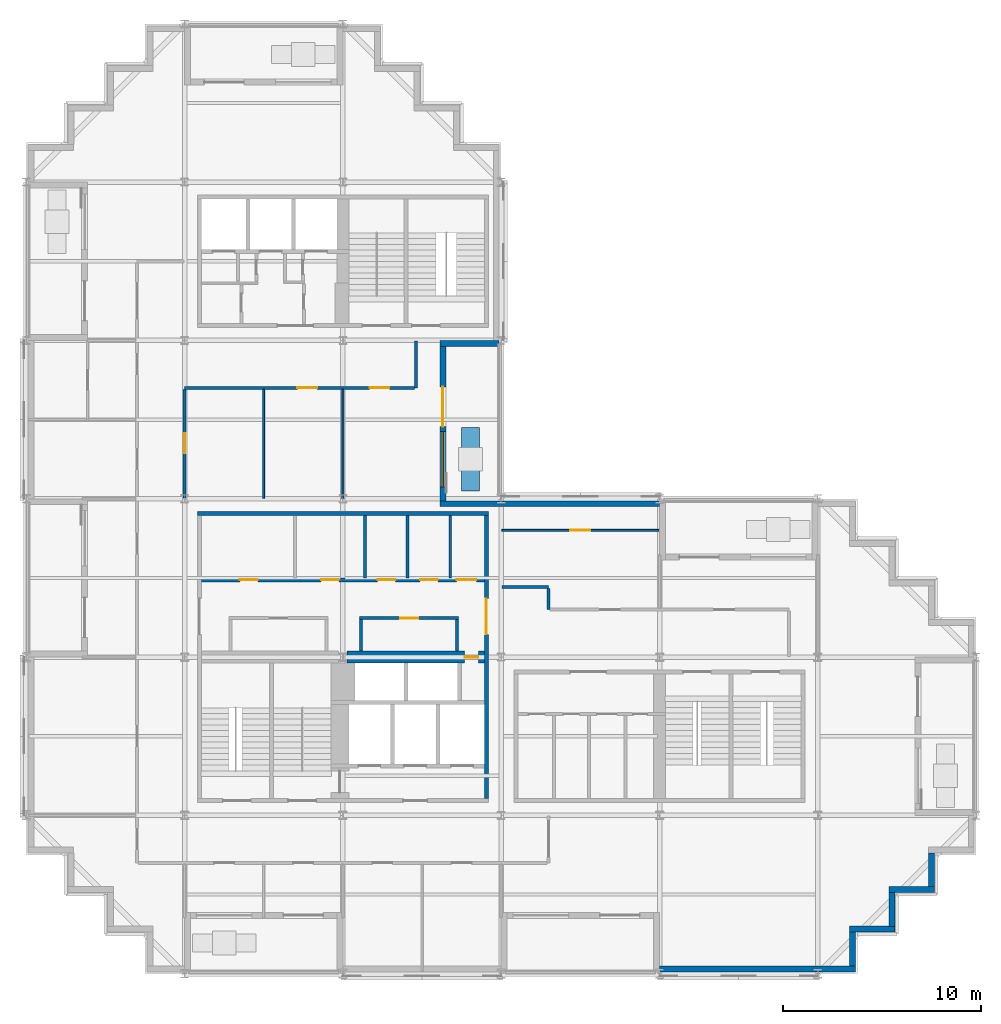
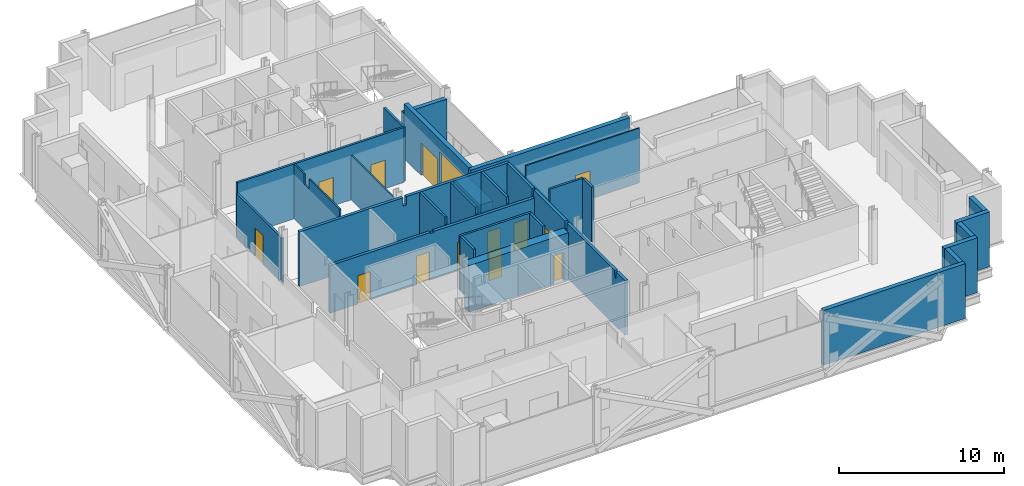
# One storey, part 6 of 12: 28 walls, 13 doors, 1 window, 14 openings.
"""IFC4 building model written with IfcOpenShell, lengths in metres."""

from ifc_helpers import new_model, si_unit, direction, frame, frame_2d, origin, place, context, subcontext, project, spatial, polyline, rectangle, outline, extrude, material, layer, layer_set, type_object, element, fill, save


model = new_model("IFC4")

# Units and contexts
model_context = context("Model", 3, precision=1e-05, world=origin(), true_north=direction((0.0, 1.0)))
body_context = subcontext(model_context, "Body", "Model", "MODEL_VIEW")
ifc_project = project(units=[si_unit("LENGTHUNIT", "METRE"), si_unit("AREAUNIT", "SQUARE_METRE"), si_unit("VOLUMEUNIT", "CUBIC_METRE"), si_unit("PLANEANGLEUNIT", "RADIAN"), si_unit("MASSUNIT", "GRAM", prefix="KILO")], contexts=[model_context])

# Site, building, storey
site_placement = place(None, origin())
site = spatial("IfcSite", under=ifc_project, at=site_placement, CompositionType="ELEMENT")
building_placement = place(site_placement, origin())
building = spatial("IfcBuilding", under=site, at=building_placement, Name="Immortelle Media Tower", CompositionType="ELEMENT")
storey_placement = place(building_placement, frame((0.0, 0.0, 124.199951171875)))
storey = spatial("IfcBuildingStorey", under=building, at=storey_placement, Name="L24", CompositionType="ELEMENT", Elevation=124.199951171875)

# Wall, opening, door
ifc_material_1 = material(Name="Fire-rated masonry blockwork", Category="masonry")
ifc_layer_1 = layer(ifc_material_1, 0.60009765625)
ifc_layer_set_1 = layer_set([ifc_layer_1], Name="Fire-rated masonry blockwork")
wall_type_1 = type_object("IfcWallType", Name="Core grid-line wall 600", PredefinedType="PARTITIONING", material=ifc_layer_set_1)
wall_1_placement = place(storey_placement, frame((16.21044921875, 16.0, 0.0), z_axis=(0.0, 0.0, 1.0), x_axis=(1.0, 0.0, 0.0)))
wall_1 = element("IfcWall", 1, at=wall_1_placement, inside=storey, type_object=wall_type_1, Name="Core grid-line wall SW", PredefinedType="PARTITIONING", context=body_context, shape_type="SweptSolid", body=[
    extrude(rectangle(XDim=6.939453125, YDim=0.60009765625, at=frame_2d((3.4697265625, 0.0))), origin(), (0.0, 0.0, 1.0), 3.43212890625),
])
opening_1_placement = place(wall_1_placement, frame((6.639404296875, 0.0, 0.0), z_axis=(0.0, 0.0, 1.0), x_axis=(-1.0, 0.0, 0.0)))
opening_1 = element("IfcOpeningElement", 2, at=opening_1_placement, cuts=wall_1, Name="Opening C1-K016", PredefinedType="OPENING", context=body_context, shape_type="SweptSolid", body=[
    extrude(rectangle(XDim=0.699951171875, YDim=2.10009765625, at=frame_2d((0.35009765625, 1.050048828125))), frame((0.0, 0.31005859375, 0.0), z_axis=(0.0, -1.0, 0.0), x_axis=(1.0, 0.0, 0.0)), (0.0, 0.0, 1.0), 0.6201171875),
])
ifc_material_2 = material(Name="Galvanised steel door leaf and frame ASTM A653", Category="steel")
door_type_1 = type_object("IfcDoorType", Name="Service door 700 x 2100", OperationType="NOTDEFINED", PredefinedType="NOTDEFINED", material=ifc_material_2)
door_1_placement = place(opening_1_placement, origin())
door_1 = element("IfcDoor", 3, at=door_1_placement, inside=storey, type_object=door_type_1, Name="Service C1-K016", OperationType="SINGLE_SWING_LEFT", OverallHeight=2.10009765625, OverallWidth=0.699951171875, PredefinedType="NOTDEFINED", context=body_context, shape_type="SweptSolid", body=[
    extrude(rectangle(XDim=0.699951171875, YDim=2.10009765625, at=frame_2d((0.35009765625, 1.050048828125))), frame((0.0, 0.02490234375, 0.0), z_axis=(0.0, -1.0, 0.0), x_axis=(1.0, 0.0, 0.0)), (0.0, 0.0, 1.0), 0.050048828125),
])
fill(opening_1, door_1)

# Wall
ifc_material_3 = material(Name="Fire-rated gypsum board", Category="gypsum")
ifc_layer_2 = layer(ifc_material_3, 0.02490234375)
ifc_material_4 = material(Name="Steel ASTM A653 SS Gr 50 stud frame with mineral wool", Category="steel")
ifc_layer_3 = layer(ifc_material_4, 0.10009765625)
ifc_layer_4 = layer(ifc_material_3, 0.02490234375)
ifc_layer_set_2 = layer_set([ifc_layer_2, ifc_layer_3, ifc_layer_4], Name="Steel ASTM A653 SS Gr 50 stud frame with mineral wool")
wall_type_2 = type_object("IfcWallType", Name="Core partition 150", PredefinedType="PARTITIONING", material=ifc_layer_set_2)
wall_2_placement = place(storey_placement, frame((16.925048828125, 16.300048828125, 0.0), z_axis=(0.0, 0.0, 1.0), x_axis=(0.0, 1.0, 0.0)))
element("IfcWall", 4, at=wall_2_placement, inside=storey, type_object=wall_type_2, Name="Core partition SW", PredefinedType="PARTITIONING", context=body_context, shape_type="SweptSolid", body=[
    extrude(rectangle(XDim=1.599853515625, YDim=0.14990234375, at=frame_2d((0.7998046875, 0.0))), origin(), (0.0, 0.0, 1.0), 4.050048828125),
])

# Wall, opening, door
wall_3_placement = place(storey_placement, frame((16.85009765625, 17.97509765625, 0.0), z_axis=(0.0, 0.0, 1.0), x_axis=(1.0, 0.0, 0.0)))
wall_3 = element("IfcWall", 5, at=wall_3_placement, inside=storey, type_object=wall_type_2, Name="Core partition SW", PredefinedType="PARTITIONING", context=body_context, shape_type="SweptSolid", body=[
    extrude(rectangle(XDim=5.0, YDim=0.14990234375, at=frame_2d((2.5, 0.0))), origin(), (0.0, 0.0, 1.0), 4.050048828125),
])
opening_2_placement = place(wall_3_placement, frame((2.949951171875, 0.0, 0.0), z_axis=(0.0, 0.0, 1.0), x_axis=(-1.0, 0.0, 0.0)))
opening_2 = element("IfcOpeningElement", 6, at=opening_2_placement, cuts=wall_3, Name="Opening C1-K010", PredefinedType="OPENING", context=body_context, shape_type="SweptSolid", body=[
    extrude(rectangle(XDim=0.89990234375, YDim=2.10009765625, at=frame_2d((0.449951171875, 1.050048828125))), frame((0.0, 0.0849609375, 0.0), z_axis=(0.0, -1.0, 0.0), x_axis=(1.0, 0.0, 0.0)), (0.0, 0.0, 1.0), 0.169921875),
])
ifc_material_5 = material(Name="Timber", Category="wood")
door_type_2 = type_object("IfcDoorType", Name="Room door 900 x 2100", OperationType="NOTDEFINED", PredefinedType="NOTDEFINED", material=ifc_material_5)
door_2_placement = place(opening_2_placement, origin())
door_2 = element("IfcDoor", 7, at=door_2_placement, inside=storey, type_object=door_type_2, Name="Room C1-K010", OperationType="SINGLE_SWING_RIGHT", OverallHeight=2.10009765625, OverallWidth=0.89990234375, PredefinedType="NOTDEFINED", context=body_context, shape_type="SweptSolid", body=[
    extrude(rectangle(XDim=0.89990234375, YDim=2.10009765625, at=frame_2d((0.449951171875, 1.050048828125))), frame((0.0, 0.02490234375, 0.0), z_axis=(0.0, -1.0, 0.0), x_axis=(1.0, 0.0, 0.0)), (0.0, 0.0, 1.0), 0.050048828125),
])
fill(opening_2, door_2)

# Walls
for number, where, z_axis, x_axis, name in (
    (8, (17.125, 20.0, 0.0), (0.0, 0.0, 1.0), (0.0, 1.0, 0.0), "Core partition SW"),
    (9, (19.27490234375, 20.0, 0.0), (0.0, 0.0, 1.0), (0.0, 1.0, 0.0), "Core partition SW"),
    (10, (21.425048828125, 20.0, 0.0), (0.0, 0.0, 1.0), (0.0, 1.0, 0.0), "Core partition SW"),
):
    element("IfcWall", number, at=place(storey_placement, frame(where, z_axis=z_axis, x_axis=x_axis)), inside=storey, type_object=wall_type_2, Name=name, PredefinedType="PARTITIONING", context=body_context, shape_type="SweptSolid", body=[
        extrude(outline(polyline([(0.0, 0.0), (3.14990234375, 0.0), (3.14990234375, 4.050048828125), (0.08740234375, 4.050048828125), (0.08642578125, 3.51806640625), (0.0, 3.51806640625), (0.0, 0.0)])), frame((0.0, 0.074951171875, 0.0), z_axis=(0.0, -1.0, 0.0), x_axis=(1.0, 0.0, 0.0)), (0.0, 0.0, 1.0), 0.14990234375),
    ])
wall_4_placement = place(storey_placement, frame((21.77490234375, 16.300048828125, 0.0), z_axis=(0.0, 0.0, 1.0), x_axis=(0.0, 1.0, 0.0)))
element("IfcWall", 11, at=wall_4_placement, inside=storey, type_object=wall_type_2, Name="Core partition SW", PredefinedType="PARTITIONING", context=body_context, shape_type="SweptSolid", body=[
    extrude(rectangle(XDim=1.599853515625, YDim=0.14990234375, at=frame_2d((0.7998046875, 0.0))), origin(), (0.0, 0.0, 1.0), 4.050048828125),
])
ifc_layer_5 = layer(ifc_material_3, 0.03759765625)
ifc_layer_6 = layer(ifc_material_4, 0.125)
ifc_layer_7 = layer(ifc_material_3, 0.03759765625)
ifc_layer_set_3 = layer_set([ifc_layer_5, ifc_layer_6, ifc_layer_7], Name="Steel ASTM A653 SS Gr 50 stud frame with mineral wool")
wall_type_3 = type_object("IfcWallType", Name="Core shaft wall 200", PredefinedType="PARTITIONING", material=ifc_layer_set_3)
wall_5_placement = place(storey_placement, frame((8.64990234375, 23.25, 0.0), z_axis=(0.0, 0.0, 1.0), x_axis=(1.0, 0.0, 0.0)))
element("IfcWall", 12, at=wall_5_placement, inside=storey, type_object=wall_type_3, Name="Core shaft wall SW", PredefinedType="PARTITIONING", context=body_context, shape_type="SweptSolid", body=[
    extrude(outline(polyline([(0.0, 0.0), (14.7001953125, 0.0), (14.699951171875, 4.050048828125), (7.469482421875, 4.050048828125), (7.468505859375, 3.43212890625), (7.2314453125, 3.43212890625), (7.23046875, 4.050048828125), (0.0, 4.050048828125), (0.0, 0.0)])), frame((0.0, 0.10009765625, 0.0), z_axis=(0.0, -1.0, 0.0), x_axis=(1.0, 0.0, 0.0)), (0.0, 0.0, 1.0), 0.199951171875),
])

# Wall, openings, doors
wall_6_placement = place(storey_placement, frame((8.85009765625, 19.89990234375, 0.0), z_axis=(0.0, 0.0, 1.0), x_axis=(1.0, 0.0, 0.0)))
wall_6 = element("IfcWall", 13, at=wall_6_placement, inside=storey, type_object=wall_type_3, Name="Core shaft wall SW", PredefinedType="PARTITIONING", context=body_context, shape_type="SweptSolid", body=[
    extrude(outline(polyline([(0.0, 0.0), (14.2998046875, 0.0), (14.300048828125, 3.51806640625), (7.26953125, 3.51806640625), (7.2685546875, 3.43212890625), (7.031494140625, 3.43212890625), (7.030517578125, 3.51806640625), (0.0, 3.51806640625), (0.0, 0.0)])), frame((0.0, 0.10009765625, 0.0), z_axis=(0.0, -1.0, 0.0), x_axis=(1.0, 0.0, 0.0)), (0.0, 0.0, 1.0), 0.199951171875),
])
opening_3_placement = place(wall_6_placement, frame((1.949951171875, 0.0, 0.0)))
opening_3 = element("IfcOpeningElement", 14, at=opening_3_placement, cuts=wall_6, Name="Opening C1-K003", PredefinedType="OPENING", context=body_context, shape_type="SweptSolid", body=[
    extrude(rectangle(XDim=0.89990234375, YDim=2.10009765625, at=frame_2d((0.449951171875, 1.050048828125))), frame((0.0, 0.10986328125, 0.0), z_axis=(0.0, -1.0, 0.0), x_axis=(1.0, 0.0, 0.0)), (0.0, 0.0, 1.0), 0.219970703125),
])
opening_4_placement = place(wall_6_placement, frame((6.050048828125, 0.0, 0.0)))
opening_4 = element("IfcOpeningElement", 15, at=opening_4_placement, cuts=wall_6, Name="Opening C1-K006", PredefinedType="OPENING", context=body_context, shape_type="SweptSolid", body=[
    extrude(rectangle(XDim=0.89990234375, YDim=2.10009765625, at=frame_2d((0.449951171875, 1.050048828125))), frame((0.0, 0.10986328125, 0.0), z_axis=(0.0, -1.0, 0.0), x_axis=(1.0, 0.0, 0.0)), (0.0, 0.0, 1.0), 0.219970703125),
])
opening_5_placement = place(wall_6_placement, frame((8.89990234375, 0.0, 0.0)))
opening_5 = element("IfcOpeningElement", 16, at=opening_5_placement, cuts=wall_6, Name="Opening C1-K009", PredefinedType="OPENING", context=body_context, shape_type="SweptSolid", body=[
    extrude(rectangle(XDim=0.89990234375, YDim=2.10009765625, at=frame_2d((0.449951171875, 1.050048828125))), frame((0.0, 0.10986328125, 0.0), z_axis=(0.0, -1.0, 0.0), x_axis=(1.0, 0.0, 0.0)), (0.0, 0.0, 1.0), 0.219970703125),
])
opening_6_placement = place(wall_6_placement, frame((11.050048828125, 0.0, 0.0)))
opening_6 = element("IfcOpeningElement", 17, at=opening_6_placement, cuts=wall_6, Name="Opening C1-K013", PredefinedType="OPENING", context=body_context, shape_type="SweptSolid", body=[
    extrude(rectangle(XDim=0.89990234375, YDim=2.10009765625, at=frame_2d((0.449951171875, 1.050048828125))), frame((0.0, 0.10986328125, 0.0), z_axis=(0.0, -1.0, 0.0), x_axis=(1.0, 0.0, 0.0)), (0.0, 0.0, 1.0), 0.219970703125),
])
opening_7_placement = place(wall_6_placement, frame((12.89990234375, 0.0, 0.0)))
opening_7 = element("IfcOpeningElement", 18, at=opening_7_placement, cuts=wall_6, Name="Opening C1-K015", PredefinedType="OPENING", context=body_context, shape_type="SweptSolid", body=[
    extrude(rectangle(XDim=1.0, YDim=2.10009765625, at=frame_2d((0.5, 1.050048828125))), frame((0.0, 0.10986328125, 0.0), z_axis=(0.0, -1.0, 0.0), x_axis=(1.0, 0.0, 0.0)), (0.0, 0.0, 1.0), 0.219970703125),
])
door_type_3 = type_object("IfcDoorType", Name="Accessible toilet door 1000 x 2100", OperationType="NOTDEFINED", PredefinedType="NOTDEFINED", material=ifc_material_5)
door_3_placement = place(opening_7_placement, origin())
door_3 = element("IfcDoor", 19, at=door_3_placement, inside=storey, type_object=door_type_3, Name="Accessible toilet C1-K015", OperationType="SINGLE_SWING_RIGHT", OverallHeight=2.10009765625, OverallWidth=1.0, PredefinedType="NOTDEFINED", context=body_context, shape_type="SweptSolid", body=[
    extrude(rectangle(XDim=1.0, YDim=2.10009765625, at=frame_2d((0.5, 1.050048828125))), frame((0.0, 0.02490234375, 0.0), z_axis=(0.0, -1.0, 0.0), x_axis=(1.0, 0.0, 0.0)), (0.0, 0.0, 1.0), 0.050048828125),
])
fill(opening_7, door_3)
door_4_placement = place(opening_3_placement, origin())
door_4 = element("IfcDoor", 20, at=door_4_placement, inside=storey, type_object=door_type_2, Name="Room C1-K003", OperationType="SINGLE_SWING_RIGHT", OverallHeight=2.10009765625, OverallWidth=0.89990234375, PredefinedType="NOTDEFINED", context=body_context, shape_type="SweptSolid", body=[
    extrude(rectangle(XDim=0.89990234375, YDim=2.10009765625, at=frame_2d((0.449951171875, 1.050048828125))), frame((0.0, 0.02490234375, 0.0), z_axis=(0.0, -1.0, 0.0), x_axis=(1.0, 0.0, 0.0)), (0.0, 0.0, 1.0), 0.050048828125),
])
fill(opening_3, door_4)
door_5_placement = place(opening_4_placement, origin())
door_5 = element("IfcDoor", 21, at=door_5_placement, inside=storey, type_object=door_type_2, Name="Room C1-K006", OperationType="SINGLE_SWING_RIGHT", OverallHeight=2.10009765625, OverallWidth=0.89990234375, PredefinedType="NOTDEFINED", context=body_context, shape_type="SweptSolid", body=[
    extrude(rectangle(XDim=0.89990234375, YDim=2.10009765625, at=frame_2d((0.449951171875, 1.050048828125))), frame((0.0, 0.02490234375, 0.0), z_axis=(0.0, -1.0, 0.0), x_axis=(1.0, 0.0, 0.0)), (0.0, 0.0, 1.0), 0.050048828125),
])
fill(opening_4, door_5)
door_type_4 = type_object("IfcDoorType", Name="Toilet door 900 x 2100", OperationType="NOTDEFINED", PredefinedType="NOTDEFINED", material=ifc_material_5)
door_6_placement = place(opening_5_placement, origin())
door_6 = element("IfcDoor", 22, at=door_6_placement, inside=storey, type_object=door_type_4, Name="Toilet C1-K009", OperationType="SINGLE_SWING_LEFT", OverallHeight=2.10009765625, OverallWidth=0.89990234375, PredefinedType="NOTDEFINED", context=body_context, shape_type="SweptSolid", body=[
    extrude(rectangle(XDim=0.89990234375, YDim=2.10009765625, at=frame_2d((0.449951171875, 1.050048828125))), frame((0.0, 0.02490234375, 0.0), z_axis=(0.0, -1.0, 0.0), x_axis=(1.0, 0.0, 0.0)), (0.0, 0.0, 1.0), 0.050048828125),
])
fill(opening_5, door_6)
door_7_placement = place(opening_6_placement, origin())
door_7 = element("IfcDoor", 23, at=door_7_placement, inside=storey, type_object=door_type_4, Name="Toilet C1-K013", OperationType="SINGLE_SWING_RIGHT", OverallHeight=2.10009765625, OverallWidth=0.89990234375, PredefinedType="NOTDEFINED", context=body_context, shape_type="SweptSolid", body=[
    extrude(rectangle(XDim=0.89990234375, YDim=2.10009765625, at=frame_2d((0.449951171875, 1.050048828125))), frame((0.0, 0.02490234375, 0.0), z_axis=(0.0, -1.0, 0.0), x_axis=(1.0, 0.0, 0.0)), (0.0, 0.0, 1.0), 0.050048828125),
])
fill(opening_6, door_7)

# Wall, opening, door
wall_7_placement = place(storey_placement, frame((23.25, 8.85009765625, 0.0), z_axis=(0.0, 0.0, 1.0), x_axis=(0.0, 1.0, 0.0)))
wall_7 = element("IfcWall", 24, at=wall_7_placement, inside=storey, type_object=wall_type_3, Name="Core shaft wall SW", PredefinedType="PARTITIONING", context=body_context, shape_type="SweptSolid", body=[
    extrude(outline(polyline([(0.0, 0.0), (14.2998046875, 0.0), (14.300048828125, 4.050048828125), (11.237548828125, 4.050048828125), (11.236572265625, 3.51806640625), (11.0634765625, 3.51806640625), (11.0625, 4.050048828125), (7.26953125, 4.050048828125), (7.2685546875, 3.43212890625), (7.031494140625, 3.43212890625), (7.030517578125, 4.050048828125), (1.237548828125, 4.050048828125), (1.236572265625, 3.51806640625), (1.0634765625, 3.51806640625), (1.0625, 4.050048828125), (0.0, 4.050048828125), (0.0, 0.0)])), frame((0.0, 0.10009765625, 0.0), z_axis=(0.0, -1.0, 0.0), x_axis=(1.0, 0.0, 0.0)), (0.0, 0.0, 1.0), 0.199951171875),
])
opening_8_placement = place(wall_7_placement, frame((8.300048828125, 0.0, 0.0)))
opening_8 = element("IfcOpeningElement", 25, at=opening_8_placement, cuts=wall_7, Name="Opening C1-K017", PredefinedType="OPENING", context=body_context, shape_type="SweptSolid", body=[
    extrude(rectangle(XDim=1.800048828125, YDim=2.10009765625, at=frame_2d((0.89990234375, 1.050048828125))), frame((0.0, 0.10986328125, 0.0), z_axis=(0.0, -1.0, 0.0), x_axis=(1.0, 0.0, 0.0)), (0.0, 0.0, 1.0), 0.219970703125),
])
door_type_5 = type_object("IfcDoorType", Name="Lift lobby door 1800 x 2100", OperationType="DOUBLE_DOOR_SINGLE_SWING", PredefinedType="NOTDEFINED", material=ifc_material_2)
door_8_placement = place(opening_8_placement, origin())
door_8 = element("IfcDoor", 26, at=door_8_placement, inside=storey, type_object=door_type_5, Name="Lift lobby C1-K017", OperationType="DOUBLE_DOOR_SINGLE_SWING", OverallHeight=2.10009765625, OverallWidth=1.800048828125, PredefinedType="NOTDEFINED", context=body_context, shape_type="SweptSolid", body=[
    extrude(rectangle(XDim=1.800048828125, YDim=2.10009765625, at=frame_2d((0.89990234375, 1.050048828125))), frame((0.0, 0.02490234375, 0.0), z_axis=(0.0, -1.0, 0.0), x_axis=(1.0, 0.0, 0.0)), (0.0, 0.0, 1.0), 0.050048828125),
])
fill(opening_8, door_8)

# Walls
ifc_layer_8 = layer(ifc_material_3, 0.012451171875)
ifc_layer_9 = layer(ifc_material_4, 0.125)
ifc_layer_10 = layer(ifc_material_3, 0.012451171875)
ifc_layer_set_4 = layer_set([ifc_layer_8, ifc_layer_9, ifc_layer_10], Name="Steel ASTM A653 SS Gr 50 stud frame with mineral wool")
wall_type_4 = type_object("IfcWallType", Name="Corridor wall 150", PredefinedType="PARTITIONING", material=ifc_layer_set_4)
wall_8_placement = place(storey_placement, frame((26.39990234375, 18.39990234375, 0.0), z_axis=(0.0, 0.0, 1.0), x_axis=(0.0, 1.0, 0.0)))
element("IfcWall", 27, at=wall_8_placement, inside=storey, type_object=wall_type_4, Name="Partition L24-014", PredefinedType="PARTITIONING", context=body_context, shape_type="SweptSolid", body=[
    extrude(rectangle(XDim=1.0751953125, YDim=0.14990234375, at=frame_2d((0.53759765625, 0.0))), origin(), (0.0, 0.0, 1.0), 4.050048828125),
])
wall_9_placement = place(storey_placement, frame((24.030029296875, 19.550048828125, 0.0), z_axis=(0.0, 0.0, 1.0), x_axis=(1.0, 0.0, 0.0)))
element("IfcWall", 28, at=wall_9_placement, inside=storey, type_object=wall_type_4, Name="Partition L24-016", PredefinedType="PARTITIONING", context=body_context, shape_type="SweptSolid", body=[
    extrude(rectangle(XDim=2.369873046875, YDim=0.14990234375, at=frame_2d((1.18505859375, 0.0))), origin(), (0.0, 0.0, 1.0), 4.050048828125),
])

# Wall, opening, door
wall_10_placement = place(storey_placement, frame((8.0, 24.030029296875, 0.0), z_axis=(0.0, 0.0, 1.0), x_axis=(0.0, 1.0, 0.0)))
wall_10 = element("IfcWall", 29, at=wall_10_placement, inside=storey, type_object=wall_type_4, Name="Partition L24-019", PredefinedType="PARTITIONING", context=body_context, shape_type="SweptSolid", body=[
    extrude(rectangle(XDim=5.494873046875, YDim=0.14990234375, at=frame_2d((2.74755859375, 0.0))), origin(), (0.0, 0.0, 1.0), 3.2880859375),
])
opening_9_placement = place(wall_10_placement, frame((3.27001953125, 0.0, 0.0), z_axis=(0.0, 0.0, 1.0), x_axis=(-1.0, 0.0, 0.0)))
opening_9 = element("IfcOpeningElement", 30, at=opening_9_placement, cuts=wall_10, Name="Opening C1-F012", PredefinedType="OPENING", context=body_context, shape_type="SweptSolid", body=[
    extrude(rectangle(XDim=1.0, YDim=2.10009765625, at=frame_2d((0.5, 1.050048828125))), frame((0.0, 0.0849609375, 0.0), z_axis=(0.0, -1.0, 0.0), x_axis=(1.0, 0.0, 0.0)), (0.0, 0.0, 1.0), 0.169921875),
])
ifc_material_6 = material(Name="Timber veneered door leaf, galvanised steel frame ASTM A653", Category="steel")
door_type_6 = type_object("IfcDoorType", Name="Room door 1000 x 2100", OperationType="NOTDEFINED", PredefinedType="DOOR", material=ifc_material_6)
door_9_placement = place(opening_9_placement, origin())
door_9 = element("IfcDoor", 31, at=door_9_placement, inside=storey, type_object=door_type_6, Name="Door C1-F012", OperationType="SINGLE_SWING_LEFT", OverallHeight=2.10009765625, OverallWidth=1.0, PredefinedType="DOOR", context=body_context, shape_type="SweptSolid", body=[
    extrude(rectangle(XDim=1.0, YDim=2.10009765625, at=frame_2d((0.5, 1.050048828125))), frame((0.0, 0.02490234375, 0.0), z_axis=(0.0, -1.0, 0.0), x_axis=(1.0, 0.0, 0.0)), (0.0, 0.0, 1.0), 0.050048828125),
])
fill(opening_9, door_9)

# Wall, openings, doors
wall_11_placement = place(storey_placement, frame((8.0, 29.60009765625, 0.0), z_axis=(0.0, 0.0, 1.0), x_axis=(1.0, 0.0, 0.0)))
wall_11 = element("IfcWall", 32, at=wall_11_placement, inside=storey, type_object=wall_type_4, Name="Partition L24-025", PredefinedType="PARTITIONING", context=body_context, shape_type="SweptSolid", body=[
    extrude(rectangle(XDim=11.625, YDim=0.14990234375, at=frame_2d((5.8125, 0.0))), origin(), (0.0, 0.0, 1.0), 4.050048828125),
])
opening_10_placement = place(wall_11_placement, frame((6.699951171875, 0.0, 0.0), z_axis=(0.0, 0.0, 1.0), x_axis=(-1.0, 0.0, 0.0)))
opening_10 = element("IfcOpeningElement", 33, at=opening_10_placement, cuts=wall_11, Name="Opening C1-F013", PredefinedType="OPENING", context=body_context, shape_type="SweptSolid", body=[
    extrude(rectangle(XDim=1.0, YDim=2.10009765625, at=frame_2d((0.5, 1.050048828125))), frame((0.0, 0.0849609375, 0.0), z_axis=(0.0, -1.0, 0.0), x_axis=(1.0, 0.0, 0.0)), (0.0, 0.0, 1.0), 0.169921875),
])
opening_11_placement = place(wall_11_placement, frame((10.35009765625, 0.0, 0.0), z_axis=(0.0, 0.0, 1.0), x_axis=(-1.0, 0.0, 0.0)))
opening_11 = element("IfcOpeningElement", 34, at=opening_11_placement, cuts=wall_11, Name="Opening C1-F014", PredefinedType="OPENING", context=body_context, shape_type="SweptSolid", body=[
    extrude(rectangle(XDim=1.0, YDim=2.10009765625, at=frame_2d((0.5, 1.050048828125))), frame((0.0, 0.0849609375, 0.0), z_axis=(0.0, -1.0, 0.0), x_axis=(1.0, 0.0, 0.0)), (0.0, 0.0, 1.0), 0.169921875),
])
door_10_placement = place(opening_10_placement, origin())
door_10 = element("IfcDoor", 35, at=door_10_placement, inside=storey, type_object=door_type_6, Name="Door C1-F013", OperationType="SINGLE_SWING_LEFT", OverallHeight=2.10009765625, OverallWidth=1.0, PredefinedType="DOOR", context=body_context, shape_type="SweptSolid", body=[
    extrude(rectangle(XDim=1.0, YDim=2.10009765625, at=frame_2d((0.5, 1.050048828125))), frame((0.0, 0.02490234375, 0.0), z_axis=(0.0, -1.0, 0.0), x_axis=(1.0, 0.0, 0.0)), (0.0, 0.0, 1.0), 0.050048828125),
])
fill(opening_10, door_10)
door_11_placement = place(opening_11_placement, origin())
door_11 = element("IfcDoor", 36, at=door_11_placement, inside=storey, type_object=door_type_6, Name="Door C1-F014", OperationType="SINGLE_SWING_RIGHT", OverallHeight=2.10009765625, OverallWidth=1.0, PredefinedType="DOOR", context=body_context, shape_type="SweptSolid", body=[
    extrude(rectangle(XDim=1.0, YDim=2.10009765625, at=frame_2d((0.5, 1.050048828125))), frame((0.0, 0.02490234375, 0.0), z_axis=(0.0, -1.0, 0.0), x_axis=(1.0, 0.0, 0.0)), (0.0, 0.0, 1.0), 0.050048828125),
])
fill(opening_11, door_11)

# Walls
wall_12_placement = place(storey_placement, frame((19.699951171875, 29.60009765625, 0.0), z_axis=(0.0, 0.0, 1.0), x_axis=(0.0, 1.0, 0.0)))
element("IfcWall", 37, at=wall_12_placement, inside=storey, type_object=wall_type_4, Name="Partition L24-026", PredefinedType="PARTITIONING", context=body_context, shape_type="SweptSolid", body=[
    extrude(rectangle(XDim=2.369873046875, YDim=0.14990234375, at=frame_2d((1.18505859375, 0.0))), origin(), (0.0, 0.0, 1.0), 4.050048828125),
])
ifc_material_7 = material(Name="Pale aluminium cladding panel", Category="aluminium")
ifc_layer_11 = layer(ifc_material_7, 0.030029296875)
ifc_layer_12 = layer(ifc_material_4, 0.257568359375)
ifc_material_8 = material(Name="Moisture-resistant gypsum board", Category="gypsum")
ifc_layer_13 = layer(ifc_material_8, 0.012451171875)
ifc_layer_set_5 = layer_set([ifc_layer_11, ifc_layer_12, ifc_layer_13], Name="Steel ASTM A653 SS Gr 50 stud frame with mineral wool")
wall_type_5 = type_object("IfcWallType", Name="Facade wall 300", PredefinedType="SOLIDWALL", material=ifc_layer_set_5)
wall_13_placement = place(storey_placement, frame((32.0, 0.25, 0.0), z_axis=(0.0, 0.0, 1.0), x_axis=(1.0, 0.0, 0.0)))
element("IfcWall", 38, at=wall_13_placement, inside=storey, type_object=wall_type_5, Name="Facade wall L24 S6", PredefinedType="SOLIDWALL", context=body_context, shape_type="SweptSolid", body=[
    extrude(rectangle(XDim=9.89990234375, YDim=0.300048828125, at=frame_2d((4.949951171875, 0.0))), origin(), (0.0, 0.0, 1.0), 4.050048828125),
])
wall_14_placement = place(storey_placement, frame((41.75, 0.39990234375, 0.0), z_axis=(0.0, 0.0, 1.0), x_axis=(0.0, 1.0, 0.0)))
element("IfcWall", 39, at=wall_14_placement, inside=storey, type_object=wall_type_5, Name="Facade wall L24 E7", PredefinedType="SOLIDWALL", context=body_context, shape_type="SweptSolid", body=[
    extrude(rectangle(XDim=1.7001953125, YDim=0.300048828125, at=frame_2d((0.85009765625, 0.0))), origin(), (0.0, 0.0, 1.0), 4.050048828125),
])
wall_15_placement = place(storey_placement, frame((41.60009765625, 2.25, 0.0), z_axis=(0.0, 0.0, 1.0), x_axis=(1.0, 0.0, 0.0)))
element("IfcWall", 40, at=wall_15_placement, inside=storey, type_object=wall_type_5, Name="Facade wall L24 S8", PredefinedType="SOLIDWALL", context=body_context, shape_type="SweptSolid", body=[
    extrude(rectangle(XDim=2.2998046875, YDim=0.300048828125, at=frame_2d((1.14990234375, 0.0))), origin(), (0.0, 0.0, 1.0), 4.050048828125),
])
wall_16_placement = place(storey_placement, frame((43.75, 2.39990234375, 0.0), z_axis=(0.0, 0.0, 1.0), x_axis=(0.0, 1.0, 0.0)))
element("IfcWall", 41, at=wall_16_placement, inside=storey, type_object=wall_type_5, Name="Facade wall L24 E9", PredefinedType="SOLIDWALL", context=body_context, shape_type="SweptSolid", body=[
    extrude(rectangle(XDim=1.7001953125, YDim=0.300048828125, at=frame_2d((0.85009765625, 0.0))), origin(), (0.0, 0.0, 1.0), 4.050048828125),
])
wall_17_placement = place(storey_placement, frame((43.60009765625, 4.25, 0.0), z_axis=(0.0, 0.0, 1.0), x_axis=(1.0, 0.0, 0.0)))
element("IfcWall", 42, at=wall_17_placement, inside=storey, type_object=wall_type_5, Name="Facade wall L24 S10", PredefinedType="SOLIDWALL", context=body_context, shape_type="SweptSolid", body=[
    extrude(rectangle(XDim=2.2998046875, YDim=0.300048828125, at=frame_2d((1.14990234375, 0.0))), origin(), (0.0, 0.0, 1.0), 4.050048828125),
])
wall_18_placement = place(storey_placement, frame((45.75, 4.39990234375, 0.0), z_axis=(0.0, 0.0, 1.0), x_axis=(0.0, 1.0, 0.0)))
element("IfcWall", 43, at=wall_18_placement, inside=storey, type_object=wall_type_5, Name="Facade wall L24 E11", PredefinedType="SOLIDWALL", context=body_context, shape_type="SweptSolid", body=[
    extrude(rectangle(XDim=1.7001953125, YDim=0.300048828125, at=frame_2d((0.85009765625, 0.0))), origin(), (0.0, 0.0, 1.0), 4.050048828125),
])
wall_19_placement = place(storey_placement, frame((32.0, 23.75, 0.0), z_axis=(0.0, 0.0, 1.0), x_axis=(-1.0, 0.0, 0.0)))
element("IfcWall", 44, at=wall_19_placement, inside=storey, type_object=wall_type_5, Name="Facade wall L24 N20", PredefinedType="SOLIDWALL", context=body_context, shape_type="SweptSolid", body=[
    extrude(rectangle(XDim=11.10009765625, YDim=0.300048828125, at=frame_2d((5.550048828125, 0.0))), origin(), (0.0, 0.0, 1.0), 4.050048828125),
])

# Wall, openings, door, window
wall_20_placement = place(storey_placement, frame((21.050048828125, 23.89990234375, 0.0), z_axis=(0.0, 0.0, 1.0), x_axis=(0.0, 1.0, 0.0)))
wall_20 = element("IfcWall", 45, at=wall_20_placement, inside=storey, type_object=wall_type_5, Name="Loggia wall L24 E21", PredefinedType="SOLIDWALL", context=body_context, shape_type="SweptSolid", body=[
    extrude(rectangle(XDim=7.800048828125, YDim=0.300048828125, at=frame_2d((3.89990234375, 0.0))), origin(), (0.0, 0.0, 1.0), 4.050048828125),
])
opening_12_placement = place(wall_20_placement, frame((0.699951171875, 0.0, 0.89990234375)))
opening_12 = element("IfcOpeningElement", 46, at=opening_12_placement, cuts=wall_20, Name="Opening W1", PredefinedType="OPENING", context=body_context, shape_type="SweptSolid", body=[
    extrude(rectangle(XDim=2.800048828125, YDim=2.199951171875, at=frame_2d((1.39990234375, 1.10009765625))), frame((0.0, 0.159912109375, 0.0), z_axis=(0.0, -1.0, 0.0), x_axis=(1.0, 0.0, 0.0)), (0.0, 0.0, 1.0), 0.320068359375),
])
opening_13_placement = place(wall_20_placement, frame((3.75, 0.0, 0.0)))
opening_13 = element("IfcOpeningElement", 47, at=opening_13_placement, cuts=wall_20, Name="Opening C1-E005", PredefinedType="OPENING", context=body_context, shape_type="SweptSolid", body=[
    extrude(rectangle(XDim=2.0, YDim=2.39990234375, at=frame_2d((1.0, 1.199951171875))), frame((0.0, 0.159912109375, 0.0), z_axis=(0.0, -1.0, 0.0), x_axis=(1.0, 0.0, 0.0)), (0.0, 0.0, 1.0), 0.320068359375),
])
ifc_material_9 = material(Name="Aluminium frame, glazed leaves", Category="aluminium")
door_type_7 = type_object("IfcDoorType", Name="Loggia door 2000 x 2400", OperationType="DOUBLE_DOOR_SINGLE_SWING", PredefinedType="DOOR", material=ifc_material_9)
door_12_placement = place(opening_13_placement, origin())
door_12 = element("IfcDoor", 48, at=door_12_placement, inside=storey, type_object=door_type_7, Name="Door C1-E005", OperationType="DOUBLE_DOOR_SINGLE_SWING", OverallHeight=2.39990234375, OverallWidth=2.0, PredefinedType="DOOR", context=body_context, shape_type="SweptSolid", body=[
    extrude(rectangle(XDim=2.0, YDim=2.39990234375, at=frame_2d((1.0, 1.199951171875))), frame((0.0, 0.02490234375, 0.0), z_axis=(0.0, -1.0, 0.0), x_axis=(1.0, 0.0, 0.0)), (0.0, 0.0, 1.0), 0.050048828125),
])
fill(opening_13, door_12)
ifc_material_10 = material(Name="Aluminium frame", Category="aluminium")
window_type = type_object("IfcWindowType", Name="Window 2800 x 2200", PartitioningType="SINGLE_PANEL", PredefinedType="WINDOW", material=ifc_material_10)
window_placement = place(opening_12_placement, origin())
window = element("IfcWindow", 49, at=window_placement, inside=storey, type_object=window_type, Name="Window L24 L24-R21-B0", OverallHeight=2.199951171875, OverallWidth=2.800048828125, PartitioningType="SINGLE_PANEL", PredefinedType="WINDOW", context=body_context, shape_type="SweptSolid", body=[
    extrude(rectangle(XDim=2.800048828125, YDim=2.199951171875, at=frame_2d((1.39990234375, 1.10009765625))), frame((0.0, 0.030029296875, 0.0), z_axis=(0.0, -1.0, 0.0), x_axis=(1.0, 0.0, 0.0)), (0.0, 0.0, 1.0), 0.06005859375),
])
fill(opening_12, window)

# Wall
wall_21_placement = place(storey_placement, frame((23.89990234375, 31.85009765625, 0.0), z_axis=(0.0, 0.0, 1.0), x_axis=(-1.0, 0.0, 0.0)))
element("IfcWall", 50, at=wall_21_placement, inside=storey, type_object=wall_type_5, Name="Loggia cheek wall L24 E", PredefinedType="SOLIDWALL", context=body_context, shape_type="SweptSolid", body=[
    extrude(rectangle(XDim=3.0, YDim=0.300048828125, at=frame_2d((1.5, 0.0))), origin(), (0.0, 0.0, 1.0), 3.35595703125),
])

# Wall, opening, door
ifc_material_11 = material(Name="Gypsum board", Category="gypsum")
ifc_layer_14 = layer(ifc_material_11, 0.012451171875)
ifc_layer_15 = layer(ifc_material_4, 0.074951171875)
ifc_layer_16 = layer(ifc_material_11, 0.012451171875)
ifc_layer_set_6 = layer_set([ifc_layer_14, ifc_layer_15, ifc_layer_16], Name="Steel ASTM A653 SS Gr 50 stud frame with mineral wool")
wall_type_6 = type_object("IfcWallType", Name="Partition 100", PredefinedType="PARTITIONING", material=ifc_layer_set_6)
wall_22_placement = place(storey_placement, frame((24.030029296875, 22.39990234375, 0.0), z_axis=(0.0, 0.0, 1.0), x_axis=(1.0, 0.0, 0.0)))
wall_22 = element("IfcWall", 51, at=wall_22_placement, inside=storey, type_object=wall_type_6, Name="Partition L24-017", PredefinedType="PARTITIONING", context=body_context, shape_type="SweptSolid", body=[
    extrude(rectangle(XDim=7.93994140625, YDim=0.10009765625, at=frame_2d((3.969970703125, 0.0))), origin(), (0.0, 0.0, 1.0), 4.050048828125),
])
opening_14_placement = place(wall_22_placement, frame((4.469970703125, 0.0, 0.0), z_axis=(0.0, 0.0, 1.0), x_axis=(-1.0, 0.0, 0.0)))
opening_14 = element("IfcOpeningElement", 52, at=opening_14_placement, cuts=wall_22, Name="Opening C1-F011", PredefinedType="OPENING", context=body_context, shape_type="SweptSolid", body=[
    extrude(rectangle(XDim=1.0, YDim=2.10009765625, at=frame_2d((0.5, 1.050048828125))), frame((0.0, 0.06005859375, 0.0), z_axis=(0.0, -1.0, 0.0), x_axis=(1.0, 0.0, 0.0)), (0.0, 0.0, 1.0), 0.1201171875),
])
door_13_placement = place(opening_14_placement, origin())
door_13 = element("IfcDoor", 53, at=door_13_placement, inside=storey, type_object=door_type_6, Name="Door C1-F011", OperationType="SINGLE_SWING_RIGHT", OverallHeight=2.10009765625, OverallWidth=1.0, PredefinedType="DOOR", context=body_context, shape_type="SweptSolid", body=[
    extrude(rectangle(XDim=1.0, YDim=2.10009765625, at=frame_2d((0.5, 1.050048828125))), frame((0.0, 0.02490234375, 0.0), z_axis=(0.0, -1.0, 0.0), x_axis=(1.0, 0.0, 0.0)), (0.0, 0.0, 1.0), 0.050048828125),
])
fill(opening_14, door_13)

# Walls
wall_23_placement = place(storey_placement, frame((12.0, 24.030029296875, 0.0), z_axis=(0.0, 0.0, 1.0), x_axis=(0.0, 1.0, 0.0)))
element("IfcWall", 54, at=wall_23_placement, inside=storey, type_object=wall_type_6, Name="Partition L24-020", PredefinedType="PARTITIONING", context=body_context, shape_type="SweptSolid", body=[
    extrude(outline(polyline([(0.0, 0.0), (5.494873046875, 0.0), (5.4951171875, 4.050048828125), (4.27001953125, 4.050048828125), (4.26806640625, 3.2880859375), (3.672119140625, 3.2880859375), (3.669921875, 4.050048828125), (0.0, 4.050048828125), (0.0, 0.0)])), frame((0.0, 0.050048828125, 0.0), z_axis=(0.0, -1.0, 0.0), x_axis=(1.0, 0.0, 0.0)), (0.0, 0.0, 1.0), 0.10009765625),
])
wall_24_placement = place(storey_placement, frame((16.0, 24.030029296875, 0.0), z_axis=(0.0, 0.0, 1.0), x_axis=(0.0, 1.0, 0.0)))
element("IfcWall", 55, at=wall_24_placement, inside=storey, type_object=wall_type_6, Name="Partition L24-021", PredefinedType="PARTITIONING", context=body_context, shape_type="SweptSolid", body=[
    extrude(rectangle(XDim=5.494873046875, YDim=0.10009765625, at=frame_2d((2.74755859375, 0.0))), origin(), (0.0, 0.0, 1.0), 3.2880859375),
])
ifc_layer_17 = layer(ifc_material_7, 0.0029296875)
ifc_material_12 = material(Name="Steel ASTM A572 Gr 50 planter shell", Category="steel")
ifc_layer_18 = layer(ifc_material_12, 0.011962890625)
ifc_material_13 = material(Name="Planting substrate", Category="soil")
ifc_layer_19 = layer(ifc_material_13, 0.873046875)
ifc_layer_20 = layer(ifc_material_12, 0.011962890625)
ifc_layer_set_7 = layer_set([ifc_layer_17, ifc_layer_18, ifc_layer_19, ifc_layer_20], Name="Steel ASTM A572 Gr 50 planter shell")
wall_type_7 = type_object("IfcWallType", Name="Planter wall 900", PredefinedType="SOLIDWALL", material=ifc_layer_set_7)
wall_25_placement = place(storey_placement, frame((22.449951171875, 24.39990234375, 0.0), z_axis=(0.0, 0.0, 1.0), x_axis=(0.0, 1.0, 0.0)))
element("IfcWall", 56, at=wall_25_placement, inside=storey, type_object=wall_type_7, Name="Planter L24 E0", PredefinedType="SOLIDWALL", context=body_context, shape_type="SweptSolid", body=[
    extrude(rectangle(XDim=3.2001953125, YDim=0.89990234375, at=frame_2d((1.60009765625, 0.0))), origin(), (0.0, 0.0, 1.0), 0.60009765625),
])

save(model, "model.ifc")
